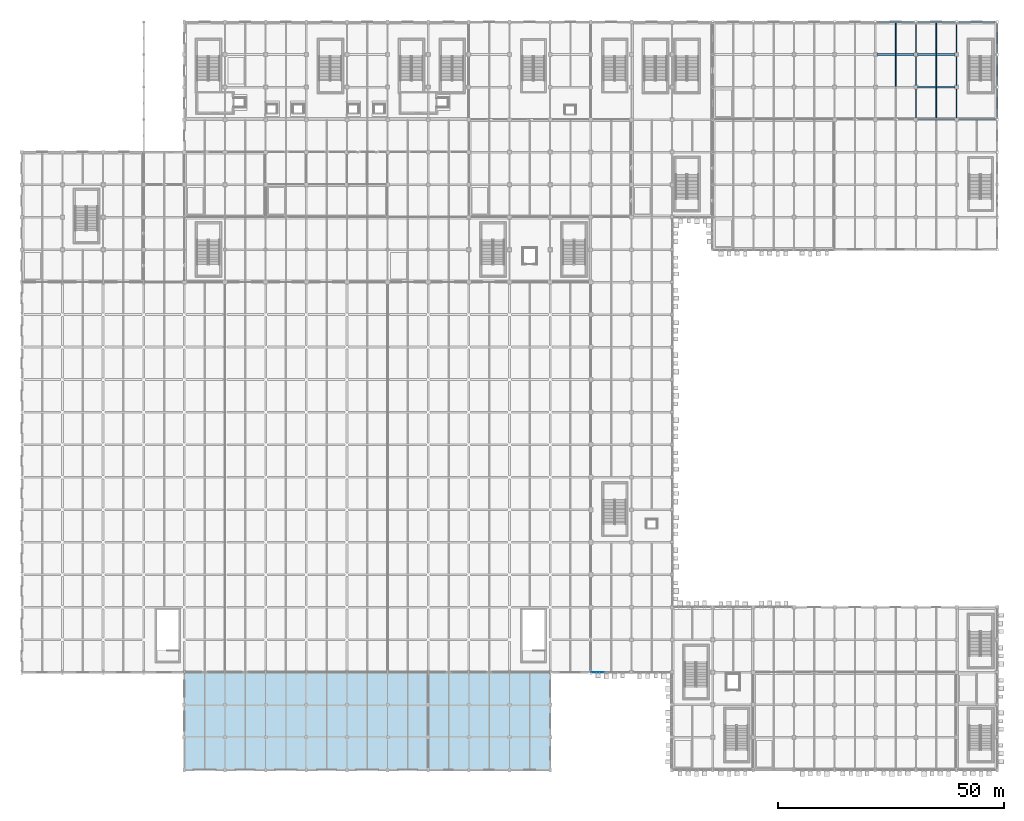
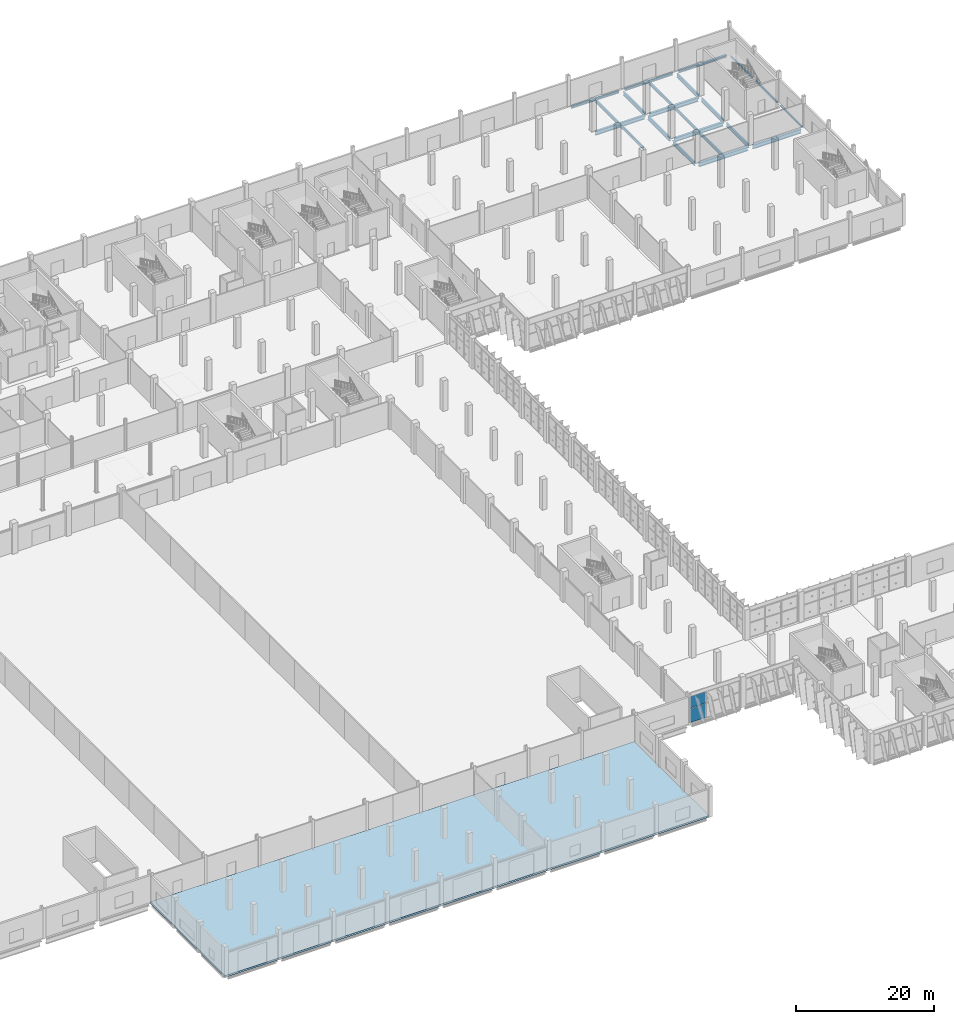
# One storey, part 71 of 137: 22 beams, 2 plates, 1 slab, 1 element without a shape of its own.
"""IFC4 building model written with IfcOpenShell, lengths in metres."""

from ifc_helpers import new_model, si_unit, direction, frame, origin, origin_2d, place, context, subcontext, project, spatial, polyline, rectangle, hollow_rectangle, i_section, outline, extrude, material, layer, layer_set, material_profile, profile_set, type_object, element, aggregate, save


model = new_model("IFC4")

# Units and contexts
model_context = context("Model", 3, precision=1e-05, world=origin(), true_north=direction((0.0, 1.0)))
body_context = subcontext(model_context, "Body", "Model", "MODEL_VIEW")
ifc_project = project(units=[si_unit("LENGTHUNIT", "METRE"), si_unit("AREAUNIT", "SQUARE_METRE"), si_unit("VOLUMEUNIT", "CUBIC_METRE"), si_unit("PLANEANGLEUNIT", "RADIAN"), si_unit("MASSUNIT", "GRAM", prefix="KILO")], contexts=[model_context])

# Site, building, storey
site_placement = place(None, origin())
site = spatial("IfcSite", under=ifc_project, at=site_placement, CompositionType="ELEMENT")
building_placement = place(site_placement, origin())
building = spatial("IfcBuilding", under=site, at=building_placement, Name="Celestram Park Convention Centre", CompositionType="ELEMENT")
storey_placement = place(building_placement, origin())
storey = spatial("IfcBuildingStorey", under=building, at=storey_placement, Name="L00", CompositionType="ELEMENT", Elevation=0.0)

# Beams
ifc_material_1 = material(Name="Steel ASTM A992 Grade 50", Category="steel")
ifc_material_profile_1 = material_profile(ifc_material_1, i_section(OverallWidth=0.35595703125, OverallDepth=0.696044921875, WebThickness=0.015380859375, FlangeThickness=0.02490234375, at=origin_2d()), Name="W27X146")
ifc_profile_set_1 = profile_set([ifc_material_profile_1], Name="Steel ASTM A992 Grade 50")
beam_type_1 = type_object("IfcBeamType", Name="STR-BM-W27X146", PredefinedType="BEAM", material=ifc_profile_set_1)
for number, where, z_axis, x_axis, name in (
    (1, (189.39794921875, 158.39990234375, -0.66796875), (1.0, 0.0, 0.0), (0.0, 1.0, 0.0), "Primary X-girder BG-L00-0818"),
    (2, (198.39794921875, 144.0, -0.66796875), (1.0, 0.0, 0.0), (0.0, 1.0, 0.0), "Primary X-girder BG-L00-0840"),
    (3, (198.39794921875, 151.199951171875, -0.66796875), (1.0, 0.0, 0.0), (0.0, 1.0, 0.0), "Primary X-girder BG-L00-0842"),
    (4, (198.39794921875, 158.39990234375, -0.66796875), (1.0, 0.0, 0.0), (0.0, 1.0, 0.0), "Primary X-girder BG-L00-0844"),
):
    element("IfcBeam", number, at=place(storey_placement, frame(where, z_axis=z_axis, x_axis=x_axis)), inside=storey, type_object=beam_type_1, Name=name, PredefinedType="BEAM", context=body_context, shape_type="SweptSolid", body=[
        extrude(i_section(OverallWidth=0.35595703125, OverallDepth=0.696044921875, WebThickness=0.015380859375, FlangeThickness=0.02490234375, at=origin_2d()), origin(), (0.0, 0.0, 1.0), 8.2041015625),
    ])
beam_1_placement = place(storey_placement, frame((207.39794921875, 144.0, -0.66796875), z_axis=(1.0, 0.0, 0.0), x_axis=(0.0, 1.0, 0.0)))
element("IfcBeam", 5, at=beam_1_placement, inside=storey, type_object=beam_type_1, Name="Primary X-girder BG-L00-0863", PredefinedType="BEAM", context=body_context, shape_type="SweptSolid", body=[
    extrude(i_section(OverallWidth=0.35595703125, OverallDepth=0.696044921875, WebThickness=0.015380859375, FlangeThickness=0.02490234375, at=origin_2d()), origin(), (0.0, 0.0, 1.0), 8.10400390625),
])
ifc_material_profile_2 = material_profile(ifc_material_1, i_section(OverallWidth=0.25390625, OverallDepth=0.68310546875, WebThickness=0.012451171875, FlangeThickness=0.01904296875, at=origin_2d()), Name="W27X94")
ifc_profile_set_2 = profile_set([ifc_material_profile_2], Name="Steel ASTM A992 Grade 50")
beam_type_2 = type_object("IfcBeamType", Name="STR-BM-W27X94", PredefinedType="BEAM", material=ifc_profile_set_2)
for number, where, z_axis, x_axis, name in (
    (6, (198.0, 144.39794921875, -0.66162109375), (0.0, 1.0, 0.0), (-1.0, 0.0, 0.0), "Primary Y-girder BG-L00-0841"),
    (7, (198.0, 151.597900390625, -0.66162109375), (0.0, 1.0, 0.0), (-1.0, 0.0, 0.0), "Primary Y-girder BG-L00-0843"),
):
    element("IfcBeam", number, at=place(storey_placement, frame(where, z_axis=z_axis, x_axis=x_axis)), inside=storey, type_object=beam_type_2, Name=name, PredefinedType="BEAM", context=body_context, shape_type="SweptSolid", body=[
        extrude(i_section(OverallWidth=0.25390625, OverallDepth=0.68310546875, WebThickness=0.012451171875, FlangeThickness=0.01904296875, at=origin_2d()), origin(), (0.0, 0.0, 1.0), 6.404052734375),
    ])
beam_2_placement = place(storey_placement, frame((198.0, 158.798095703125, -0.66162109375), z_axis=(0.0, 1.0, 0.0), x_axis=(-1.0, 0.0, 0.0)))
element("IfcBeam", 8, at=beam_2_placement, inside=storey, type_object=beam_type_2, Name="Primary Y-girder BG-L00-0845", PredefinedType="BEAM", context=body_context, shape_type="SweptSolid", body=[
    extrude(i_section(OverallWidth=0.25390625, OverallDepth=0.68310546875, WebThickness=0.012451171875, FlangeThickness=0.01904296875, at=origin_2d()), origin(), (0.0, 0.0, 1.0), 6.303955078125),
])
for number, where, z_axis, x_axis, name in (
    (9, (207.0, 144.39794921875, -0.66162109375), (0.0, 1.0, 0.0), (-1.0, 0.0, 0.0), "Primary Y-girder BG-L00-0864"),
    (10, (207.0, 151.597900390625, -0.66162109375), (0.0, 1.0, 0.0), (-1.0, 0.0, 0.0), "Primary Y-girder BG-L00-0865"),
):
    element("IfcBeam", number, at=place(storey_placement, frame(where, z_axis=z_axis, x_axis=x_axis)), inside=storey, type_object=beam_type_2, Name=name, PredefinedType="BEAM", context=body_context, shape_type="SweptSolid", body=[
        extrude(i_section(OverallWidth=0.25390625, OverallDepth=0.68310546875, WebThickness=0.012451171875, FlangeThickness=0.01904296875, at=origin_2d()), origin(), (0.0, 0.0, 1.0), 6.404052734375),
    ])
beam_3_placement = place(storey_placement, frame((207.0, 158.798095703125, -0.66162109375), z_axis=(0.0, 1.0, 0.0), x_axis=(-1.0, 0.0, 0.0)))
element("IfcBeam", 11, at=beam_3_placement, inside=storey, type_object=beam_type_2, Name="Primary Y-girder BG-L00-0866", PredefinedType="BEAM", context=body_context, shape_type="SweptSolid", body=[
    extrude(i_section(OverallWidth=0.25390625, OverallDepth=0.68310546875, WebThickness=0.012451171875, FlangeThickness=0.01904296875, at=origin_2d()), origin(), (0.0, 0.0, 1.0), 6.303955078125),
])
ifc_material_profile_3 = material_profile(ifc_material_1, i_section(OverallWidth=0.2099609375, OverallDepth=0.532958984375, WebThickness=0.01025390625, FlangeThickness=0.015625, at=origin_2d()), Name="W21X62")
ifc_profile_set_3 = profile_set([ifc_material_profile_3], Name="Steel ASTM A992 Grade 50")
beam_type_3 = type_object("IfcBeamType", Name="STR-JST-W21X62", PredefinedType="JOIST", material=ifc_profile_set_3)
beam_4_placement = place(storey_placement, frame((193.5, 151.3740234375, -0.58642578125), z_axis=(0.0, 1.0, 0.0), x_axis=(-1.0, 0.0, 0.0)))
element("IfcBeam", 12, at=beam_4_placement, inside=storey, type_object=beam_type_3, Name="Secondary composite joist BG-L00-1230", PredefinedType="JOIST", context=body_context, shape_type="SweptSolid", body=[
    extrude(i_section(OverallWidth=0.2099609375, OverallDepth=0.532958984375, WebThickness=0.01025390625, FlangeThickness=0.015625, at=origin_2d()), origin(), (0.0, 0.0, 1.0), 6.85205078125),
])
beam_5_placement = place(storey_placement, frame((193.5, 158.573974609375, -0.58642578125), z_axis=(0.0, 1.0, 0.0), x_axis=(-1.0, 0.0, 0.0)))
element("IfcBeam", 13, at=beam_5_placement, inside=storey, type_object=beam_type_3, Name="Secondary composite joist BG-L00-1231", PredefinedType="JOIST", context=body_context, shape_type="SweptSolid", body=[
    extrude(i_section(OverallWidth=0.2099609375, OverallDepth=0.532958984375, WebThickness=0.01025390625, FlangeThickness=0.015625, at=origin_2d()), origin(), (0.0, 0.0, 1.0), 6.843994140625),
])
beam_6_placement = place(storey_placement, frame((202.5, 144.174072265625, -0.58642578125), z_axis=(0.0, 1.0, 0.0), x_axis=(-1.0, 0.0, 0.0)))
element("IfcBeam", 14, at=beam_6_placement, inside=storey, type_object=beam_type_3, Name="Secondary composite joist BG-L00-1241", PredefinedType="JOIST", context=body_context, shape_type="SweptSolid", body=[
    extrude(i_section(OverallWidth=0.2099609375, OverallDepth=0.532958984375, WebThickness=0.01025390625, FlangeThickness=0.015625, at=origin_2d()), origin(), (0.0, 0.0, 1.0), 6.851806640625),
])
beam_7_placement = place(storey_placement, frame((202.5, 151.3740234375, -0.58642578125), z_axis=(0.0, 1.0, 0.0), x_axis=(-1.0, 0.0, 0.0)))
element("IfcBeam", 15, at=beam_7_placement, inside=storey, type_object=beam_type_3, Name="Secondary composite joist BG-L00-1242", PredefinedType="JOIST", context=body_context, shape_type="SweptSolid", body=[
    extrude(i_section(OverallWidth=0.2099609375, OverallDepth=0.532958984375, WebThickness=0.01025390625, FlangeThickness=0.015625, at=origin_2d()), origin(), (0.0, 0.0, 1.0), 6.85205078125),
])
beam_8_placement = place(storey_placement, frame((202.5, 158.573974609375, -0.58642578125), z_axis=(0.0, 1.0, 0.0), x_axis=(-1.0, 0.0, 0.0)))
element("IfcBeam", 16, at=beam_8_placement, inside=storey, type_object=beam_type_3, Name="Secondary composite joist BG-L00-1243", PredefinedType="JOIST", context=body_context, shape_type="SweptSolid", body=[
    extrude(i_section(OverallWidth=0.2099609375, OverallDepth=0.532958984375, WebThickness=0.01025390625, FlangeThickness=0.015625, at=origin_2d()), origin(), (0.0, 0.0, 1.0), 6.843994140625),
])
ifc_material_2 = material(Name="Steel ASTM A500 Grade C", Category="steel")
ifc_material_profile_4 = material_profile(ifc_material_2, hollow_rectangle(XDim=0.199951171875, YDim=0.300048828125, WallThickness=0.011962890625, at=origin_2d()), Name="HSS300X200X12")
ifc_profile_set_4 = profile_set([ifc_material_profile_4], Name="Steel ASTM A500 Grade C")
beam_type_4 = type_object("IfcBeamType", Name="STR-SPN-HSS300X200", PredefinedType="SPANDREL", material=ifc_profile_set_4)
beam_9_placement = place(storey_placement, frame((216.0, 144.498046875, -0.469970703125), z_axis=(0.0, 1.0, 0.0), x_axis=(-1.0, 0.0, 0.0)))
element("IfcBeam", 17, at=beam_9_placement, inside=storey, type_object=beam_type_4, Name="Primary Y-girder BG-L00-0877", PredefinedType="SPANDREL", context=body_context, shape_type="SweptSolid", body=[
    extrude(hollow_rectangle(XDim=0.199951171875, YDim=0.300048828125, WallThickness=0.011962890625, at=origin_2d()), origin(), (0.0, 0.0, 1.0), 6.203857421875),
])
for number, where, z_axis, x_axis, name in (
    (18, (216.0, 151.697998046875, -0.469970703125), (0.0, 1.0, 0.0), (-1.0, 0.0, 0.0), "Primary Y-girder BG-L00-0878"),
    (19, (216.0, 158.89794921875, -0.469970703125), (0.0, 1.0, 0.0), (-1.0, 0.0, 0.0), "Primary Y-girder BG-L00-0879"),
):
    element("IfcBeam", number, at=place(storey_placement, frame(where, z_axis=z_axis, x_axis=x_axis)), inside=storey, type_object=beam_type_4, Name=name, PredefinedType="SPANDREL", context=body_context, shape_type="SweptSolid", body=[
        extrude(hollow_rectangle(XDim=0.199951171875, YDim=0.300048828125, WallThickness=0.011962890625, at=origin_2d()), origin(), (0.0, 0.0, 1.0), 6.2041015625),
    ])
ifc_material_profile_5 = material_profile(ifc_material_1, i_section(OverallWidth=0.373046875, OverallDepth=0.373046875, WebThickness=0.016357421875, FlangeThickness=0.026123046875, at=origin_2d()), Name="W14X132")
ifc_profile_set_5 = profile_set([ifc_material_profile_5], Name="Steel ASTM A992 Grade 50")
beam_type_5 = type_object("IfcBeamType", Name="STR-SPN-W14X132", PredefinedType="SPANDREL", material=ifc_profile_set_5)
for number, where, z_axis, x_axis, name in (
    (20, (189.498046875, 165.60009765625, -0.506591796875), (1.0, 0.0, 0.0), (0.0, 1.0, 0.0), "Primary X-girder BG-L00-0820"),
    (21, (198.498046875, 165.60009765625, -0.506591796875), (1.0, 0.0, 0.0), (0.0, 1.0, 0.0), "Primary X-girder BG-L00-0846"),
    (22, (207.498046875, 165.60009765625, -0.506591796875), (1.0, 0.0, 0.0), (0.0, 1.0, 0.0), "Primary X-girder BG-L00-0867"),
):
    element("IfcBeam", number, at=place(storey_placement, frame(where, z_axis=z_axis, x_axis=x_axis)), inside=storey, type_object=beam_type_5, Name=name, PredefinedType="SPANDREL", context=body_context, shape_type="SweptSolid", body=[
        extrude(i_section(OverallWidth=0.373046875, OverallDepth=0.373046875, WebThickness=0.016357421875, FlangeThickness=0.026123046875, at=origin_2d()), origin(), (0.0, 0.0, 1.0), 8.00390625),
    ])

# Curtain wall, plates
ifc_material_3 = material(Name="Anodised Aluminium Alloy 6063-T6", Category="aluminium")
ifc_layer_1 = layer(ifc_material_3, 0.179931640625)
ifc_layer_set_1 = layer_set([ifc_layer_1], Name="Anodised Aluminium Alloy 6063-T6")
curtain_wall_type = type_object("IfcCurtainWallType", Name="ARC-CW-859X475", PredefinedType="NOTDEFINED", material=ifc_layer_set_1)
curtain_wall_placement = place(storey_placement, origin())
curtain_wall = element("IfcCurtainWall", 23, at=curtain_wall_placement, inside=storey, type_object=curtain_wall_type, Name="Unitised curtain wall CU-L00-037", PredefinedType="NOTDEFINED")
ifc_material_4 = material(Name="Insulated Glazing Unit 38 mm", Category="glass")
ifc_layer_2 = layer(ifc_material_4, 0.0380859375)
ifc_layer_set_2 = layer_set([ifc_layer_2], Name="Insulated Glazing Unit 38 mm")
plate_type = type_object("IfcPlateType", Name="ARC-CWP-IGU38", PredefinedType="CURTAIN_PANEL", material=ifc_layer_set_2)
plate_1_placement = place(storey_placement, frame((127.460693359375, 21.60009765625, 0.06494140625), z_axis=(0.0, 0.0, 1.0), x_axis=(-1.0, 0.0, 0.0)))
plate_1 = element("IfcPlate", 24, at=plate_1_placement, type_object=plate_type, Name="CW-85X47 panel 3.1", PredefinedType="CURTAIN_PANEL", context=body_context, shape_type="SweptSolid", body=[
    extrude(rectangle(XDim=2.75146484375, YDim=0.0380859375, at=origin_2d()), origin(), (0.0, 0.0, 1.0), 2.552490234375),
])
plate_2_placement = place(storey_placement, frame((127.460693359375, 21.60009765625, 2.682373046875), z_axis=(0.0, 0.0, 1.0), x_axis=(-1.0, 0.0, 0.0)))
plate_2 = element("IfcPlate", 25, at=plate_2_placement, type_object=plate_type, Name="CW-85X47 panel 3.2", PredefinedType="CURTAIN_PANEL", context=body_context, shape_type="SweptSolid", body=[
    extrude(rectangle(XDim=2.75146484375, YDim=0.0380859375, at=origin_2d()), origin(), (0.0, 0.0, 1.0), 1.99951171875),
])
aggregate(curtain_wall, [plate_1, plate_2])

# Slab
ifc_material_5 = material(Name="Concrete C35/45", Category="concrete")
ifc_layer_3 = layer(ifc_material_5, 0.320068359375)
ifc_layer_set_3 = layer_set([ifc_layer_3], Name="Concrete C35/45")
slab_type = type_object("IfcSlabType", Name="STR-SLB-DCK320", PredefinedType="FLOOR", material=ifc_layer_set_3)
slab_placement = place(storey_placement, frame((0.0, 0.0, -0.320068359375)))
element("IfcSlab", 26, at=slab_placement, inside=storey, type_object=slab_type, Name="Floor slab L00-DCK", PredefinedType="FLOOR", context=body_context, shape_type="SweptSolid", body=[
    extrude(outline(polyline([(36.0, 0.0), (36.0, 21.60009765625), (117.0, 21.60009765625), (117.0, 0.0), (36.0, 0.0)])), origin(), (0.0, 0.0, 1.0), 0.320068359375),
])

save(model, "model.ifc")
